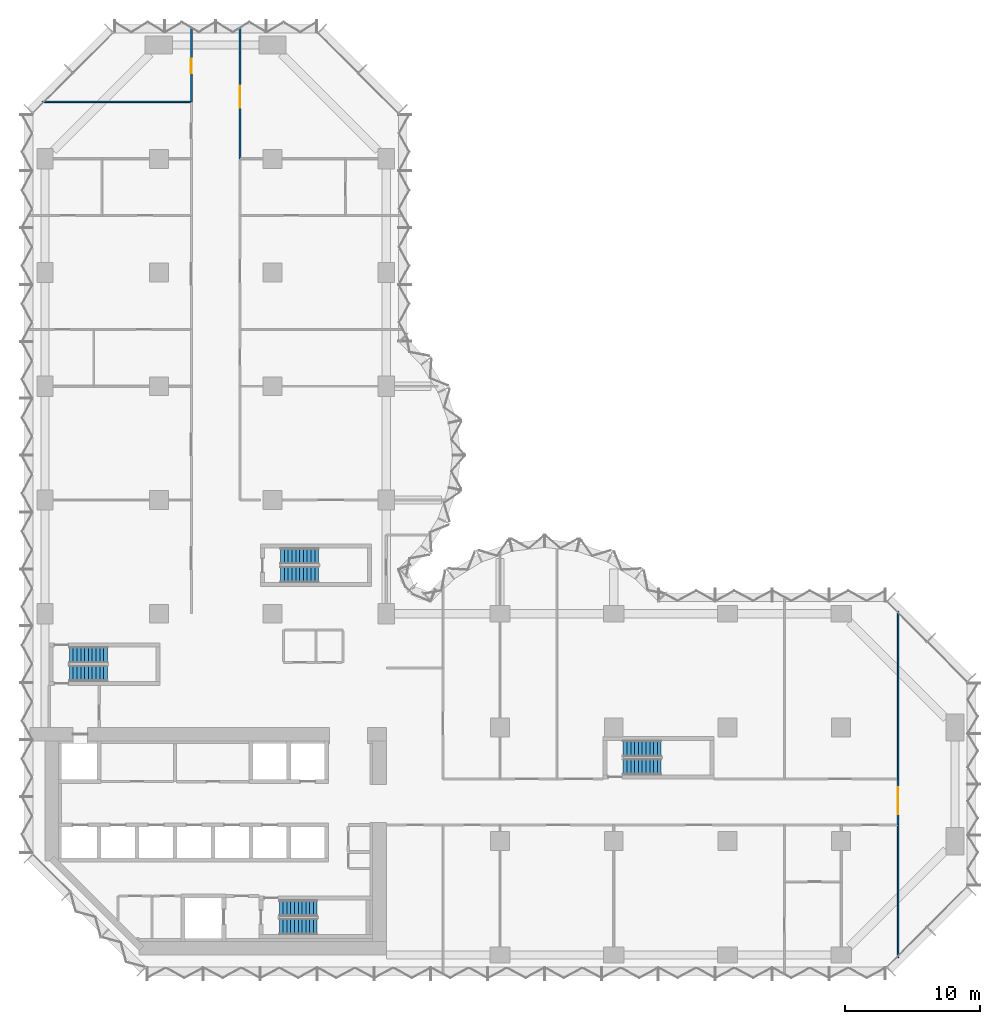
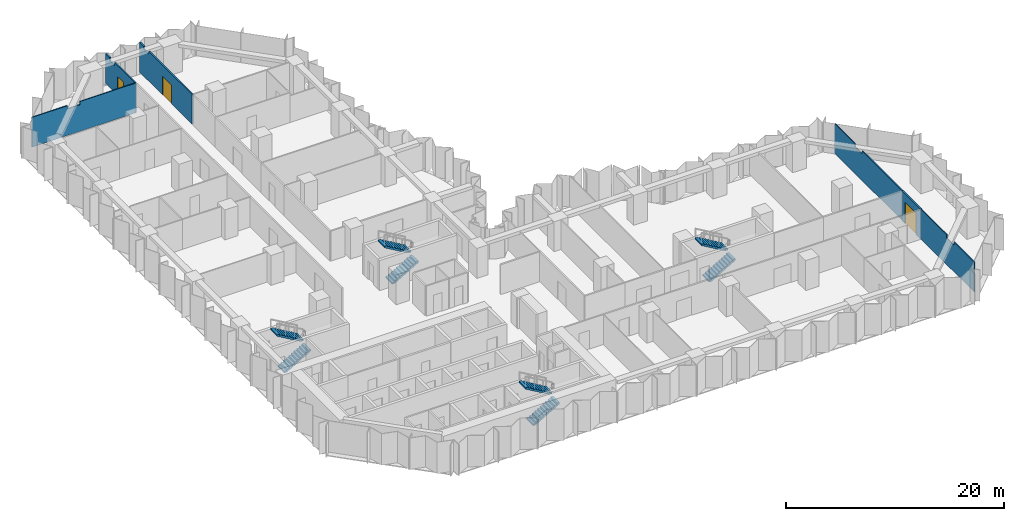
# One storey, part 12 of 15: 8 stair flights, 6 walls, 3 doors, 3 openings, 4 elements without a shape of their own.
"""IFC4 building model written with IfcOpenShell, lengths in metres."""

from ifc_helpers import new_model, si_unit, direction, frame, frame_2d, origin, place, context, subcontext, project, spatial, polyline, rectangle, outline, extrude, material, layer, layer_set, type_object, element, fill, aggregate, save


model = new_model("IFC4")

# Units and contexts
model_context = context("Model", 3, precision=1e-05, world=origin(), true_north=direction((0.0, 1.0)))
body_context = subcontext(model_context, "Body", "Model", "MODEL_VIEW")
ifc_project = project(units=[si_unit("LENGTHUNIT", "METRE"), si_unit("AREAUNIT", "SQUARE_METRE"), si_unit("VOLUMEUNIT", "CUBIC_METRE"), si_unit("PLANEANGLEUNIT", "RADIAN"), si_unit("MASSUNIT", "GRAM", prefix="KILO")], contexts=[model_context])

# Site, building, storey
site_placement = place(None, origin())
site = spatial("IfcSite", under=ifc_project, at=site_placement, CompositionType="ELEMENT")
building_placement = place(site_placement, origin())
building = spatial("IfcBuilding", under=site, at=building_placement, Name="Brevane Broadcast Tower", CompositionType="ELEMENT")
storey_placement = place(building_placement, frame((0.0, 0.0, 58.10009765625)))
storey = spatial("IfcBuildingStorey", under=building, at=storey_placement, Name="L12", CompositionType="ELEMENT", Elevation=58.10009765625)

# Walls
ifc_material_1 = material(Name="Gypsum board partition")
ifc_layer_1 = layer(ifc_material_1, 0.10009765625)
ifc_layer_set_1 = layer_set([ifc_layer_1], Name="PARTITION 100 STUD")
wall_type_1 = type_object("IfcWallType", Name="PARTITION 100 STUD", PredefinedType="PARTITIONING", material=ifc_layer_set_1)
wall_1_placement = place(storey_placement, frame((63.0, -0.199951171875, 0.0), z_axis=(0.0, 0.0, 1.0), x_axis=(0.0, 1.0, 0.0)))
element("IfcWall", 1, at=wall_1_placement, inside=storey, type_object=wall_type_1, Name="Partition G03-018", PredefinedType="PARTITIONING", context=body_context, shape_type="SweptSolid", body=[
    extrude(outline(polyline([(0.0, 0.0), (9.800048828125, 0.0), (9.800048828125, 3.329833984375), (5.065673828125, 3.329833984375), (5.063720703125, 2.97998046875), (3.736328125, 2.97998046875), (3.734375, 3.329833984375), (0.0, 3.329833984375), (0.0, 0.0)])), frame((0.0, 0.050048828125, 0.0), z_axis=(0.0, -1.0, 0.0), x_axis=(1.0, 0.0, 0.0)), (0.0, 0.0, 1.0), 0.10009765625),
])
wall_2_placement = place(storey_placement, frame((63.0, 13.0, 0.0), z_axis=(0.0, 0.0, 1.0), x_axis=(0.0, 1.0, 0.0)))
element("IfcWall", 2, at=wall_2_placement, inside=storey, type_object=wall_type_1, Name="Partition G03-019", PredefinedType="PARTITIONING", context=body_context, shape_type="SweptSolid", body=[
    extrude(outline(polyline([(0.0, 0.0), (12.39990234375, 0.0), (12.39990234375, 3.329833984375), (8.665771484375, 3.329833984375), (8.66357421875, 2.97998046875), (7.33642578125, 2.97998046875), (7.334228515625, 3.329833984375), (0.0, 3.329833984375), (0.0, 0.0)])), frame((0.0, 0.050048828125, 0.0), z_axis=(0.0, -1.0, 0.0), x_axis=(1.0, 0.0, 0.0)), (0.0, 0.0, 1.0), 0.10009765625),
])
wall_3_placement = place(storey_placement, frame((-0.199951171875, 63.0, 0.0), z_axis=(0.0, 0.0, 1.0), x_axis=(1.0, 0.0, 0.0)))
element("IfcWall", 3, at=wall_3_placement, inside=storey, type_object=wall_type_1, Name="Partition G03-065", PredefinedType="PARTITIONING", context=body_context, shape_type="SweptSolid", body=[
    extrude(outline(polyline([(0.0, 0.0), (11.0, 0.0), (11.0, 3.329833984375), (5.065673828125, 3.329833984375), (5.063720703125, 2.97998046875), (3.736328125, 2.97998046875), (3.734375, 3.329833984375), (0.0, 3.329833984375), (0.0, 0.0)])), frame((0.0, 0.050048828125, 0.0), z_axis=(0.0, -1.0, 0.0), x_axis=(1.0, 0.0, 0.0)), (0.0, 0.0, 1.0), 0.10009765625),
])

# Wall, opening, door
ifc_layer_2 = layer(ifc_material_1, 0.14990234375)
ifc_layer_set_2 = layer_set([ifc_layer_2], Name="PARTITION 150 EI 60")
wall_type_2 = type_object("IfcWallType", Name="PARTITION 150 EI 60", PredefinedType="PARTITIONING", material=ifc_layer_set_2)
wall_4_placement = place(storey_placement, frame((63.0, 13.0, 0.0), z_axis=(0.0, 0.0, 1.0), x_axis=(0.0, -1.0, 0.0)))
wall_4 = element("IfcWall", 4, at=wall_4_placement, inside=storey, type_object=wall_type_2, Name="Partition G03-007", PredefinedType="PARTITIONING", context=body_context, shape_type="SweptSolid", body=[
    extrude(rectangle(XDim=3.39990234375, YDim=0.14990234375, at=frame_2d((1.699951171875, 0.0))), origin(), (0.0, 0.0, 1.0), 3.329833984375),
])
opening_1_placement = place(wall_4_placement, frame((0.60009765625, 0.0, 0.0)))
opening_1 = element("IfcOpeningElement", 5, at=opening_1_placement, cuts=wall_4, Name="Opening D09-002", PredefinedType="OPENING", context=body_context, shape_type="SweptSolid", body=[
    extrude(rectangle(XDim=2.0, YDim=2.39990234375, at=frame_2d((1.0, 1.199951171875))), frame((0.0, 0.0849609375, 0.0), z_axis=(0.0, -1.0, 0.0), x_axis=(1.0, 0.0, 0.0)), (0.0, 0.0, 1.0), 0.169921875),
])
ifc_material_2 = material(Name="Fire-rated timber door leaf", Category="wood")
door_type_1 = type_object("IfcDoorType", Name="DOOR DOUBLE 2000 FD30S", OperationType="DOUBLE_DOOR_SINGLE_SWING", PredefinedType="DOOR", material=ifc_material_2)
door_1_placement = place(opening_1_placement, origin())
door_1 = element("IfcDoor", 6, at=door_1_placement, inside=storey, type_object=door_type_1, Name="Door D09-002", OperationType="DOUBLE_DOOR_SINGLE_SWING", OverallHeight=2.39990234375, OverallWidth=2.0, PredefinedType="DOOR", context=body_context, shape_type="SweptSolid", body=[
    extrude(rectangle(XDim=2.0, YDim=2.39990234375, at=frame_2d((1.0, 1.199951171875))), frame((0.0, 0.02490234375, 0.0), z_axis=(0.0, -1.0, 0.0), x_axis=(1.0, 0.0, 0.0)), (0.0, 0.0, 1.0), 0.050048828125),
])
fill(opening_1, door_1)

wall_5_placement = place(storey_placement, frame((10.800048828125, 63.0, 0.0), z_axis=(0.0, 0.0, 1.0), x_axis=(0.0, 1.0, 0.0)))
wall_5 = element("IfcWall", 7, at=wall_5_placement, inside=storey, type_object=wall_type_2, Name="Partition G03-045", PredefinedType="PARTITIONING", context=body_context, shape_type="SweptSolid", body=[
    extrude(outline(polyline([(0.0, 0.0), (5.42333984375, 0.0), (5.42333984375, 3.329833984375), (5.280029296875, 3.329833984375), (4.64990234375, 3.329833984375), (4.64794921875, 2.97998046875), (3.751953125, 2.97998046875), (3.75, 3.329833984375), (0.0, 3.329833984375), (0.0, 0.0)])), frame((0.0, 0.074951171875, 0.0), z_axis=(0.0, -1.0, 0.0), x_axis=(1.0, 0.0, 0.0)), (0.0, 0.0, 1.0), 0.14990234375),
])
opening_2_placement = place(wall_5_placement, frame((2.10009765625, 0.0, 0.0)))
opening_2 = element("IfcOpeningElement", 8, at=opening_2_placement, cuts=wall_5, Name="Opening D09-022", PredefinedType="OPENING", context=body_context, shape_type="SweptSolid", body=[
    extrude(rectangle(XDim=1.10009765625, YDim=2.10009765625, at=frame_2d((0.550048828125, 1.050048828125))), frame((0.0, 0.0849609375, 0.0), z_axis=(0.0, -1.0, 0.0), x_axis=(1.0, 0.0, 0.0)), (0.0, 0.0, 1.0), 0.169921875),
])
door_type_2 = type_object("IfcDoorType", Name="DOOR SINGLE 1100 FD30S", OperationType="SINGLE_SWING_LEFT", PredefinedType="DOOR", material=ifc_material_2)
door_2_placement = place(opening_2_placement, origin())
door_2 = element("IfcDoor", 9, at=door_2_placement, inside=storey, type_object=door_type_2, Name="Door D09-022", OperationType="SINGLE_SWING_LEFT", OverallHeight=2.10009765625, OverallWidth=1.10009765625, PredefinedType="DOOR", context=body_context, shape_type="SweptSolid", body=[
    extrude(rectangle(XDim=1.10009765625, YDim=2.10009765625, at=frame_2d((0.550048828125, 1.050048828125))), frame((0.0, 0.02490234375, 0.0), z_axis=(0.0, -1.0, 0.0), x_axis=(1.0, 0.0, 0.0)), (0.0, 0.0, 1.0), 0.050048828125),
])
fill(opening_2, door_2)

wall_6_placement = place(storey_placement, frame((14.39990234375, 68.42333984375, 0.0), z_axis=(0.0, 0.0, 1.0), x_axis=(0.0, -1.0, 0.0)))
wall_6 = element("IfcWall", 10, at=wall_6_placement, inside=storey, type_object=wall_type_2, Name="Partition G03-050", PredefinedType="PARTITIONING", context=body_context, shape_type="SweptSolid", body=[
    extrude(outline(polyline([(0.0, 0.0), (9.623291015625, 0.0), (9.623291015625, 3.329833984375), (1.67333984375, 3.329833984375), (1.67138671875, 2.97998046875), (0.775390625, 2.97998046875), (0.773193359375, 3.329833984375), (0.143310546875, 3.329833984375), (0.0, 3.329833984375), (0.0, 0.0)])), frame((0.0, 0.074951171875, 0.0), z_axis=(0.0, -1.0, 0.0), x_axis=(1.0, 0.0, 0.0)), (0.0, 0.0, 1.0), 0.14990234375),
])
opening_3_placement = place(wall_6_placement, frame((4.243408203125, 0.0, 0.0)))
opening_3 = element("IfcOpeningElement", 11, at=opening_3_placement, cuts=wall_6, Name="Opening D09-028", PredefinedType="OPENING", context=body_context, shape_type="SweptSolid", body=[
    extrude(rectangle(XDim=1.60009765625, YDim=2.10009765625, at=frame_2d((0.800048828125, 1.050048828125))), frame((0.0, 0.0849609375, 0.0), z_axis=(0.0, -1.0, 0.0), x_axis=(1.0, 0.0, 0.0)), (0.0, 0.0, 1.0), 0.169921875),
])
door_type_3 = type_object("IfcDoorType", Name="DOOR DOUBLE 1600 FD30S", OperationType="DOUBLE_DOOR_SINGLE_SWING", PredefinedType="DOOR", material=ifc_material_2)
door_3_placement = place(opening_3_placement, origin())
door_3 = element("IfcDoor", 12, at=door_3_placement, inside=storey, type_object=door_type_3, Name="Door D09-028", OperationType="DOUBLE_DOOR_SINGLE_SWING", OverallHeight=2.10009765625, OverallWidth=1.60009765625, PredefinedType="DOOR", context=body_context, shape_type="SweptSolid", body=[
    extrude(rectangle(XDim=1.60009765625, YDim=2.10009765625, at=frame_2d((0.800048828125, 1.050048828125))), frame((0.0, 0.02490234375, 0.0), z_axis=(0.0, -1.0, 0.0), x_axis=(1.0, 0.0, 0.0)), (0.0, 0.0, 1.0), 0.050048828125),
])
fill(opening_3, door_3)

# Stair, stair flights
ifc_material_3 = material(Name="Concrete C50/60", Category="concrete")
stair_type = type_object("IfcStairType", Name="Exit stair 22 risers", PredefinedType="HALF_TURN_STAIR", material=ifc_material_3)
stair_1_placement = place(storey_placement, origin())
stair_1 = element("IfcStair", 13, at=stair_1_placement, inside=storey, type_object=stair_type, Name="L12 Exit stair ST-1", PredefinedType="HALF_TURN_STAIR")
stair_flight_type = type_object("IfcStairFlightType", Name="Exit stair flight 22 risers", PredefinedType="STRAIGHT", material=ifc_material_3)
stair_flight_1_placement = place(storey_placement, frame((1.800048828125, 20.800048828125, 0.0), z_axis=(0.0, 0.0, 1.0), x_axis=(1.0, 0.0, 0.0)))
stair_flight_1 = element("IfcStairFlight", 14, at=stair_flight_1_placement, type_object=stair_flight_type, Name="ST-1 flight 1", NumberOfRisers=11, NumberOfTreads=10, PredefinedType="STRAIGHT", RiserHeight=0.163636364, TreadLength=0.28, context=body_context, shape_type="SweptSolid", body=[
    extrude(outline(polyline([(0.0, 0.0), (0.0, 0.16357421875), (0.280029296875, 0.16357421875), (0.280029296875, 0.327392578125), (0.56005859375, 0.327392578125), (0.56005859375, 0.490966796875), (0.840087890625, 0.490966796875), (0.840087890625, 0.654541015625), (1.1201171875, 0.654541015625), (1.1201171875, 0.818115234375), (1.39990234375, 0.818115234375), (1.39990234375, 0.98193359375), (1.679931640625, 0.98193359375), (1.679931640625, 1.1455078125), (1.9599609375, 1.1455078125), (1.9599609375, 1.30908203125), (2.239990234375, 1.30908203125), (2.239990234375, 1.47265625), (2.52001953125, 1.47265625), (2.52001953125, 1.636474609375), (2.800048828125, 1.636474609375), (2.800048828125, 1.800048828125), (2.800048828125, 1.462646484375), (0.297119140625, 0.0), (0.0, 0.0)])), frame((0.0, 0.60009765625, 0.0), z_axis=(0.0, -1.0, 0.0), x_axis=(1.0, 0.0, 0.0)), (0.0, 0.0, 1.0), 1.199951171875),
])
stair_flight_2_placement = place(storey_placement, frame((4.60009765625, 22.14990234375, 1.7998046875), z_axis=(0.0, 0.0, 1.0), x_axis=(-1.0, 0.0, 0.0)))
stair_flight_2 = element("IfcStairFlight", 15, at=stair_flight_2_placement, type_object=stair_flight_type, Name="ST-1 flight 2", NumberOfRisers=11, NumberOfTreads=10, PredefinedType="STRAIGHT", RiserHeight=0.163636364, TreadLength=0.28, context=body_context, shape_type="SweptSolid", body=[
    extrude(outline(polyline([(0.0, 0.0), (0.0, 0.16357421875), (0.280029296875, 0.16357421875), (0.280029296875, 0.327392578125), (0.56005859375, 0.327392578125), (0.56005859375, 0.490966796875), (0.840087890625, 0.490966796875), (0.840087890625, 0.654541015625), (1.1201171875, 0.654541015625), (1.1201171875, 0.818115234375), (1.39990234375, 0.818115234375), (1.39990234375, 0.98193359375), (1.679931640625, 0.98193359375), (1.679931640625, 1.1455078125), (1.9599609375, 1.1455078125), (1.9599609375, 1.30908203125), (2.239990234375, 1.30908203125), (2.239990234375, 1.47265625), (2.52001953125, 1.47265625), (2.52001953125, 1.636474609375), (2.800048828125, 1.636474609375), (2.800048828125, 1.800048828125), (2.800048828125, 1.462646484375), (0.297119140625, 0.0), (0.0, 0.0)])), frame((0.0, 0.60009765625, 0.0), z_axis=(0.0, -1.0, 0.0), x_axis=(1.0, 0.0, 0.0)), (0.0, 0.0, 1.0), 1.199951171875),
])
aggregate(stair_1, [stair_flight_1, stair_flight_2])

stair_2_placement = place(storey_placement, origin())
stair_2 = element("IfcStair", 16, at=stair_2_placement, inside=storey, type_object=stair_type, Name="L12 Exit stair ST-2", PredefinedType="HALF_TURN_STAIR")
stair_flight_3_placement = place(storey_placement, frame((17.300048828125, 2.10009765625, 0.0), z_axis=(0.0, 0.0, 1.0), x_axis=(1.0, 0.0, 0.0)))
stair_flight_3 = element("IfcStairFlight", 17, at=stair_flight_3_placement, type_object=stair_flight_type, Name="ST-2 flight 1", NumberOfRisers=11, NumberOfTreads=10, PredefinedType="STRAIGHT", RiserHeight=0.163636364, TreadLength=0.28, context=body_context, shape_type="SweptSolid", body=[
    extrude(outline(polyline([(0.0, 0.0), (0.0, 0.16357421875), (0.280029296875, 0.16357421875), (0.280029296875, 0.327392578125), (0.56005859375, 0.327392578125), (0.56005859375, 0.490966796875), (0.840087890625, 0.490966796875), (0.840087890625, 0.654541015625), (1.1201171875, 0.654541015625), (1.1201171875, 0.818115234375), (1.39990234375, 0.818115234375), (1.39990234375, 0.98193359375), (1.679931640625, 0.98193359375), (1.679931640625, 1.1455078125), (1.9599609375, 1.1455078125), (1.9599609375, 1.30908203125), (2.239990234375, 1.30908203125), (2.239990234375, 1.47265625), (2.52001953125, 1.47265625), (2.52001953125, 1.636474609375), (2.800048828125, 1.636474609375), (2.800048828125, 1.800048828125), (2.800048828125, 1.462646484375), (0.297119140625, 0.0), (0.0, 0.0)])), frame((0.0, 0.60009765625, 0.0), z_axis=(0.0, -1.0, 0.0), x_axis=(1.0, 0.0, 0.0)), (0.0, 0.0, 1.0), 1.199951171875),
])
stair_flight_4_placement = place(storey_placement, frame((20.10009765625, 3.449951171875, 1.7998046875), z_axis=(0.0, 0.0, 1.0), x_axis=(-1.0, 0.0, 0.0)))
stair_flight_4 = element("IfcStairFlight", 18, at=stair_flight_4_placement, type_object=stair_flight_type, Name="ST-2 flight 2", NumberOfRisers=11, NumberOfTreads=10, PredefinedType="STRAIGHT", RiserHeight=0.163636364, TreadLength=0.28, context=body_context, shape_type="SweptSolid", body=[
    extrude(outline(polyline([(0.0, 0.0), (0.0, 0.16357421875), (0.280029296875, 0.16357421875), (0.280029296875, 0.327392578125), (0.56005859375, 0.327392578125), (0.56005859375, 0.490966796875), (0.840087890625, 0.490966796875), (0.840087890625, 0.654541015625), (1.1201171875, 0.654541015625), (1.1201171875, 0.818115234375), (1.39990234375, 0.818115234375), (1.39990234375, 0.98193359375), (1.679931640625, 0.98193359375), (1.679931640625, 1.1455078125), (1.9599609375, 1.1455078125), (1.9599609375, 1.30908203125), (2.239990234375, 1.30908203125), (2.239990234375, 1.47265625), (2.52001953125, 1.47265625), (2.52001953125, 1.636474609375), (2.800048828125, 1.636474609375), (2.800048828125, 1.800048828125), (2.800048828125, 1.462646484375), (0.297119140625, 0.0), (0.0, 0.0)])), frame((0.0, 0.60009765625, 0.0), z_axis=(0.0, -1.0, 0.0), x_axis=(1.0, 0.0, 0.0)), (0.0, 0.0, 1.0), 1.199951171875),
])
aggregate(stair_2, [stair_flight_3, stair_flight_4])

stair_3_placement = place(storey_placement, origin())
stair_3 = element("IfcStair", 19, at=stair_3_placement, inside=storey, type_object=stair_type, Name="L12 Exit stair ST-3", PredefinedType="HALF_TURN_STAIR")
stair_flight_5_placement = place(storey_placement, frame((17.39990234375, 28.10009765625, 0.0), z_axis=(0.0, 0.0, 1.0), x_axis=(1.0, 0.0, 0.0)))
stair_flight_5 = element("IfcStairFlight", 20, at=stair_flight_5_placement, type_object=stair_flight_type, Name="ST-3 flight 1", NumberOfRisers=11, NumberOfTreads=10, PredefinedType="STRAIGHT", RiserHeight=0.163636364, TreadLength=0.28, context=body_context, shape_type="SweptSolid", body=[
    extrude(outline(polyline([(0.0, 0.0), (0.0, 0.16357421875), (0.280029296875, 0.16357421875), (0.280029296875, 0.327392578125), (0.56005859375, 0.327392578125), (0.56005859375, 0.490966796875), (0.840087890625, 0.490966796875), (0.840087890625, 0.654541015625), (1.1201171875, 0.654541015625), (1.1201171875, 0.818115234375), (1.39990234375, 0.818115234375), (1.39990234375, 0.98193359375), (1.679931640625, 0.98193359375), (1.679931640625, 1.1455078125), (1.9599609375, 1.1455078125), (1.9599609375, 1.30908203125), (2.239990234375, 1.30908203125), (2.239990234375, 1.47265625), (2.52001953125, 1.47265625), (2.52001953125, 1.636474609375), (2.800048828125, 1.636474609375), (2.800048828125, 1.800048828125), (2.800048828125, 1.462646484375), (0.297119140625, 0.0), (0.0, 0.0)])), frame((0.0, 0.60009765625, 0.0), z_axis=(0.0, -1.0, 0.0), x_axis=(1.0, 0.0, 0.0)), (0.0, 0.0, 1.0), 1.199951171875),
])
stair_flight_6_placement = place(storey_placement, frame((20.199951171875, 29.449951171875, 1.7998046875), z_axis=(0.0, 0.0, 1.0), x_axis=(-1.0, 0.0, 0.0)))
stair_flight_6 = element("IfcStairFlight", 21, at=stair_flight_6_placement, type_object=stair_flight_type, Name="ST-3 flight 2", NumberOfRisers=11, NumberOfTreads=10, PredefinedType="STRAIGHT", RiserHeight=0.163636364, TreadLength=0.28, context=body_context, shape_type="SweptSolid", body=[
    extrude(outline(polyline([(0.0, 0.0), (0.0, 0.16357421875), (0.280029296875, 0.16357421875), (0.280029296875, 0.327392578125), (0.56005859375, 0.327392578125), (0.56005859375, 0.490966796875), (0.840087890625, 0.490966796875), (0.840087890625, 0.654541015625), (1.1201171875, 0.654541015625), (1.1201171875, 0.818115234375), (1.39990234375, 0.818115234375), (1.39990234375, 0.98193359375), (1.679931640625, 0.98193359375), (1.679931640625, 1.1455078125), (1.9599609375, 1.1455078125), (1.9599609375, 1.30908203125), (2.239990234375, 1.30908203125), (2.239990234375, 1.47265625), (2.52001953125, 1.47265625), (2.52001953125, 1.636474609375), (2.800048828125, 1.636474609375), (2.800048828125, 1.800048828125), (2.800048828125, 1.462646484375), (0.297119140625, 0.0), (0.0, 0.0)])), frame((0.0, 0.60009765625, 0.0), z_axis=(0.0, -1.0, 0.0), x_axis=(1.0, 0.0, 0.0)), (0.0, 0.0, 1.0), 1.199951171875),
])
aggregate(stair_3, [stair_flight_5, stair_flight_6])

stair_4_placement = place(storey_placement, origin())
stair_4 = element("IfcStair", 22, at=stair_4_placement, inside=storey, type_object=stair_type, Name="L12 Exit stair ST-4", PredefinedType="HALF_TURN_STAIR")
stair_flight_7_placement = place(storey_placement, frame((42.699951171875, 13.89990234375, 0.0), z_axis=(0.0, 0.0, 1.0), x_axis=(1.0, 0.0, 0.0)))
stair_flight_7 = element("IfcStairFlight", 23, at=stair_flight_7_placement, type_object=stair_flight_type, Name="ST-4 flight 1", NumberOfRisers=11, NumberOfTreads=10, PredefinedType="STRAIGHT", RiserHeight=0.163636364, TreadLength=0.28, context=body_context, shape_type="SweptSolid", body=[
    extrude(outline(polyline([(0.0, 0.0), (0.0, 0.16357421875), (0.280029296875, 0.16357421875), (0.280029296875, 0.327392578125), (0.56005859375, 0.327392578125), (0.56005859375, 0.490966796875), (0.840087890625, 0.490966796875), (0.840087890625, 0.654541015625), (1.1201171875, 0.654541015625), (1.1201171875, 0.818115234375), (1.39990234375, 0.818115234375), (1.39990234375, 0.98193359375), (1.679931640625, 0.98193359375), (1.679931640625, 1.1455078125), (1.9599609375, 1.1455078125), (1.9599609375, 1.30908203125), (2.239990234375, 1.30908203125), (2.239990234375, 1.47265625), (2.52001953125, 1.47265625), (2.52001953125, 1.636474609375), (2.800048828125, 1.636474609375), (2.800048828125, 1.800048828125), (2.800048828125, 1.462646484375), (0.297119140625, 0.0), (0.0, 0.0)])), frame((0.0, 0.60009765625, 0.0), z_axis=(0.0, -1.0, 0.0), x_axis=(1.0, 0.0, 0.0)), (0.0, 0.0, 1.0), 1.199951171875),
])
stair_flight_8_placement = place(storey_placement, frame((45.5, 15.25, 1.7998046875), z_axis=(0.0, 0.0, 1.0), x_axis=(-1.0, 0.0, 0.0)))
stair_flight_8 = element("IfcStairFlight", 24, at=stair_flight_8_placement, type_object=stair_flight_type, Name="ST-4 flight 2", NumberOfRisers=11, NumberOfTreads=10, PredefinedType="STRAIGHT", RiserHeight=0.163636364, TreadLength=0.28, context=body_context, shape_type="SweptSolid", body=[
    extrude(outline(polyline([(0.0, 0.0), (0.0, 0.16357421875), (0.280029296875, 0.16357421875), (0.280029296875, 0.327392578125), (0.56005859375, 0.327392578125), (0.56005859375, 0.490966796875), (0.840087890625, 0.490966796875), (0.840087890625, 0.654541015625), (1.1201171875, 0.654541015625), (1.1201171875, 0.818115234375), (1.39990234375, 0.818115234375), (1.39990234375, 0.98193359375), (1.679931640625, 0.98193359375), (1.679931640625, 1.1455078125), (1.9599609375, 1.1455078125), (1.9599609375, 1.30908203125), (2.239990234375, 1.30908203125), (2.239990234375, 1.47265625), (2.52001953125, 1.47265625), (2.52001953125, 1.636474609375), (2.800048828125, 1.636474609375), (2.800048828125, 1.800048828125), (2.800048828125, 1.462646484375), (0.297119140625, 0.0), (0.0, 0.0)])), frame((0.0, 0.60009765625, 0.0), z_axis=(0.0, -1.0, 0.0), x_axis=(1.0, 0.0, 0.0)), (0.0, 0.0, 1.0), 1.199951171875),
])
aggregate(stair_4, [stair_flight_7, stair_flight_8])

save(model, "model.ifc")
